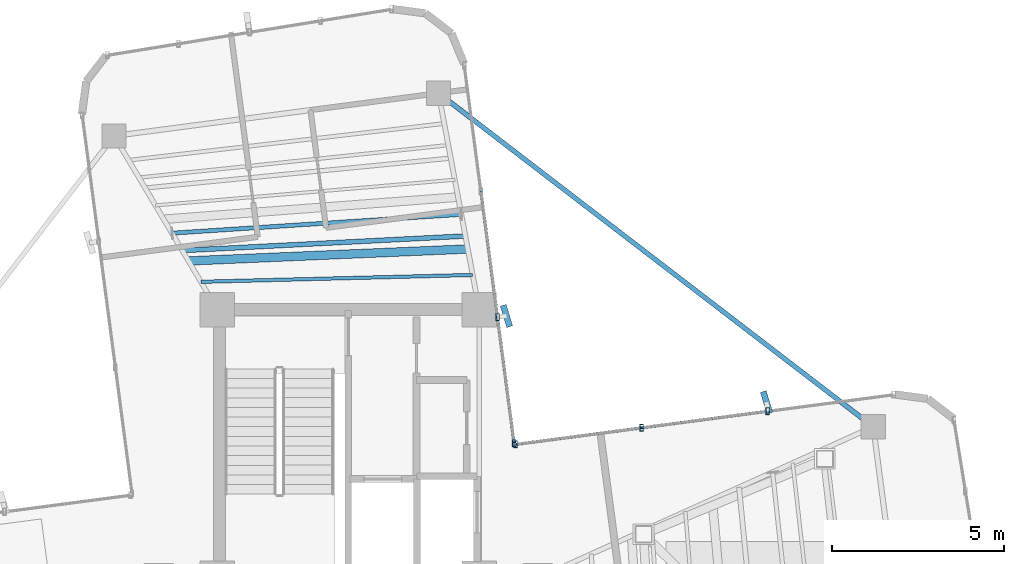
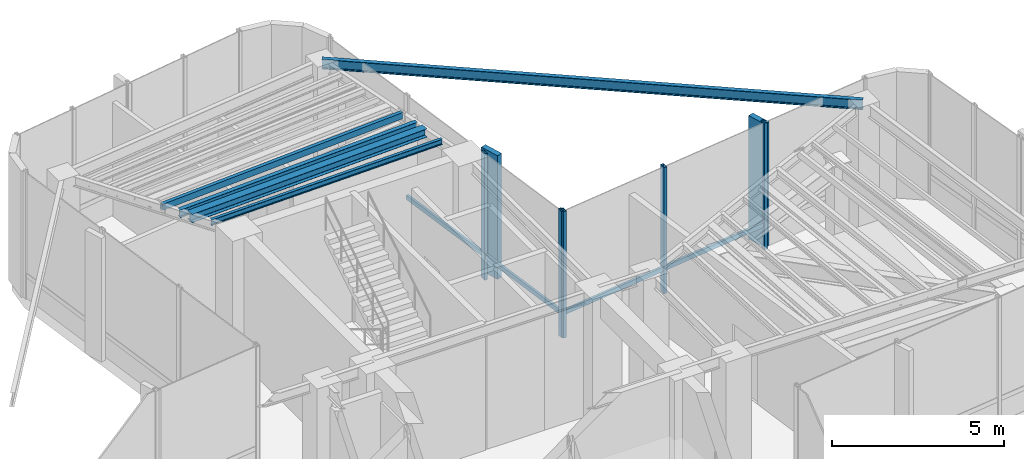
# One storey, part 8 of 16: 11 members, 5 beams, 2 elements without a shape of their own.
"""IFC4 building model written with IfcOpenShell, lengths in metres."""

from ifc_helpers import new_model, si_unit, direction, frame, origin, origin_2d, place, context, subcontext, project, spatial, rectangle, hollow_rectangle, i_section, extrude, source, transform, mapped, material, material_profile, profile_set, type_object, element, aggregate, save


model = new_model("IFC4")

# Units and contexts
model_context = context("Model", 3, precision=1e-05, world=origin(), true_north=direction((0.0, 1.0)))
body_context = subcontext(model_context, "Body", "Model", "MODEL_VIEW")
ifc_project = project(units=[si_unit("LENGTHUNIT", "METRE"), si_unit("AREAUNIT", "SQUARE_METRE"), si_unit("VOLUMEUNIT", "CUBIC_METRE"), si_unit("PLANEANGLEUNIT", "RADIAN"), si_unit("MASSUNIT", "GRAM", prefix="KILO")], contexts=[model_context])

# Site, building, storey
site_placement = place(None, origin())
site = spatial("IfcSite", under=ifc_project, at=site_placement, CompositionType="ELEMENT")
building_placement = place(site_placement, origin())
building = spatial("IfcBuilding", under=site, at=building_placement, Name="Sahyath Konkavel Grand Hotel", CompositionType="ELEMENT")
storey_placement = place(building_placement, frame((0.0, 0.0, 280.300048828125)))
storey = spatial("IfcBuildingStorey", under=building, at=storey_placement, Name="L78", CompositionType="ELEMENT", Elevation=280.300048828125)

# Beams
ifc_material_1 = material(Name="Steel E350", Category="steel")
ifc_material_profile_1 = material_profile(ifc_material_1, i_section(OverallWidth=0.139892578125, OverallDepth=0.35009765625, WebThickness=0.008056640625, FlangeThickness=0.01416015625, FilletRadius=0.013916015625, at=origin_2d()), Name="ISMB 350")
ifc_profile_set_1 = profile_set([ifc_material_profile_1], Name="Steel E350")
beam_type_1 = type_object("IfcBeamType", Name="BM-ISMB350", PredefinedType="BEAM", material=ifc_profile_set_1)
shared_shape_1 = source(origin(), body_context, "Body", "SweptSolid", [
    extrude(i_section(OverallWidth=0.139892578125, OverallDepth=0.35009765625, WebThickness=0.008056640625, FlangeThickness=0.01416015625, FilletRadius=0.013916015625, at=origin_2d()), origin(), (0.0, 0.0, 1.0), 15.909912109375),
])
beam_1_placement = place(storey_placement, frame((15.2431640625, 6.7978515625, 4.324951171875), z_axis=(-0.79335758392, 0.608755898564, 0.0), x_axis=(-0.608755898564, -0.79335758392, 0.0)))
element("IfcBeam", 1, at=beam_1_placement, inside=storey, type_object=beam_type_1, Name="L78 Re-Entrant Tie Beam NE", PredefinedType="BEAM", context=body_context, shape_type="MappedRepresentation", body=[
    mapped(shared_shape_1, transform((0.0, 0.0, 0.0), scale=1.0)),
])
ifc_material_profile_2 = material_profile(ifc_material_1, i_section(OverallWidth=0.25, OverallDepth=0.300048828125, WebThickness=0.009521484375, FlangeThickness=0.010498046875, FilletRadius=0.010986328125, at=origin_2d()), Name="ISHB 300")
ifc_profile_set_2 = profile_set([ifc_material_profile_2], Name="Steel E350")
beam_type_2 = type_object("IfcBeamType", Name="BM-ISHB300", PredefinedType="BEAM", material=ifc_profile_set_2)
shared_shape_2 = source(origin(), body_context, "Body", "SweptSolid", [
    extrude(i_section(OverallWidth=0.25, OverallDepth=0.300048828125, WebThickness=0.009521484375, FlangeThickness=0.010498046875, FilletRadius=0.010986328125, at=origin_2d()), origin(), (0.0, 0.0, 1.0), 8.11669921875),
])
beam_2_placement = place(storey_placement, frame((3.469970703125, 11.959228515625, 4.349853515625), z_axis=(-0.999084879956, -0.042771516718, 0.0), x_axis=(0.042771516718, -0.999084879956, 0.0)))
element("IfcBeam", 2, at=beam_2_placement, inside=storey, type_object=beam_type_2, Name="L78 Secondary Floor Beam N-1", PredefinedType="BEAM", context=body_context, shape_type="MappedRepresentation", body=[
    mapped(shared_shape_2, transform((0.0, 0.0, 0.0), scale=1.0)),
])
ifc_material_profile_3 = material_profile(ifc_material_1, i_section(OverallWidth=0.10009765625, OverallDepth=0.199951171875, WebThickness=0.005615234375, FlangeThickness=0.0107421875, FilletRadius=0.010986328125, at=origin_2d()), Name="ISMB 200")
ifc_profile_set_3 = profile_set([ifc_material_profile_3], Name="Steel E350")
beam_type_3 = type_object("IfcBeamType", Name="BM-ISMB200", PredefinedType="BEAM", material=ifc_profile_set_3)
shared_shape_3 = source(origin(), body_context, "Body", "SweptSolid", [
    extrude(i_section(OverallWidth=0.10009765625, OverallDepth=0.199951171875, WebThickness=0.005615234375, FlangeThickness=0.0107421875, FilletRadius=0.010986328125, at=origin_2d()), origin(), (0.0, 0.0, 1.0), 7.893310546875),
])
beam_3_placement = place(storey_placement, frame((3.611328125, 11.205322265625, 4.39990234375), z_axis=(-0.999683790083, -0.025145970772, 0.0), x_axis=(0.025145970772, -0.999683790083, 0.0)))
element("IfcBeam", 3, at=beam_3_placement, inside=storey, type_object=beam_type_3, Name="L78 Composite Deck Sub-Beam N-1", PredefinedType="BEAM", context=body_context, shape_type="MappedRepresentation", body=[
    mapped(shared_shape_3, transform((0.0, 0.0, 0.0), scale=1.0)),
])
ifc_material_profile_4 = material_profile(ifc_material_1, hollow_rectangle(XDim=0.1201171875, YDim=0.219970703125, WallThickness=0.010009765625, at=origin_2d()), Name="RHS 220x120x10")
ifc_profile_set_4 = profile_set([ifc_material_profile_4], Name="Steel E350")
beam_type_4 = type_object("IfcBeamType", Name="BM-RHS220", PredefinedType="BEAM", material=ifc_profile_set_4)
shared_shape_4 = source(origin(), body_context, "Body", "SweptSolid", [
    extrude(hollow_rectangle(XDim=0.1201171875, YDim=0.219970703125, WallThickness=0.010009765625, at=origin_2d()), origin(), (0.0, 0.0, 1.0), 8.41796875),
])
beam_4_placement = place(storey_placement, frame((3.28125, 12.964599609375, 4.389892578125), z_axis=(-0.997896901011, -0.064821099595, 0.0), x_axis=(0.064821099595, -0.997896901011, 0.0)))
element("IfcBeam", 4, at=beam_4_placement, inside=storey, type_object=beam_type_4, Name="L78 Composite Deck Sub-Beam N-3", PredefinedType="BEAM", context=body_context, shape_type="MappedRepresentation", body=[
    mapped(shared_shape_4, transform((0.0, 0.0, 0.0), scale=1.0)),
])
ifc_material_profile_5 = material_profile(ifc_material_1, i_section(OverallWidth=0.139892578125, OverallDepth=0.27490234375, WebThickness=0.00634765625, FlangeThickness=0.0087890625, FilletRadius=0.012939453125, at=origin_2d()), Name="ISLB 275")
ifc_profile_set_5 = profile_set([ifc_material_profile_5], Name="Steel E350")
beam_type_5 = type_object("IfcBeamType", Name="BM-ISLB275", PredefinedType="BEAM", material=ifc_profile_set_5)
shared_shape_5 = source(origin(), body_context, "Body", "SweptSolid", [
    extrude(i_section(OverallWidth=0.139892578125, OverallDepth=0.27490234375, WebThickness=0.00634765625, FlangeThickness=0.0087890625, FilletRadius=0.012939453125, at=origin_2d()), origin(), (0.0, 0.0, 1.0), 8.229248046875),
])
beam_5_placement = place(storey_placement, frame((3.399169921875, 12.336181640625, 4.362548828125), z_axis=(-0.998688130329, -0.051205647534, 0.0), x_axis=(0.051205647534, -0.998688130329, 0.0)))
element("IfcBeam", 5, at=beam_5_placement, inside=storey, type_object=beam_type_5, Name="L78 Composite Deck Sub-Beam N-2", PredefinedType="BEAM", context=body_context, shape_type="MappedRepresentation", body=[
    mapped(shared_shape_5, transform((0.0, 0.0, 0.0), scale=1.0)),
])

# Curtain wall, members
ifc_material_2 = material(Name="Anodised Bronze Aluminium & Low-E Glazing", Category="aluminium")
curtain_wall_type = type_object("IfcCurtainWallType", Name="CW-CROWN-TMD", PredefinedType="NOTDEFINED", material=ifc_material_2)
curtain_wall_1_placement = place(storey_placement, origin())
curtain_wall_1 = element("IfcCurtainWall", 6, at=curtain_wall_1_placement, inside=storey, type_object=curtain_wall_type, Name="L78 Unitised Curtain Wall F7", PredefinedType="NOTDEFINED")
ifc_material_3 = material(Name="Anodised Bronze Aluminium", Category="aluminium")
ifc_material_profile_6 = material_profile(ifc_material_3, hollow_rectangle(XDim=0.10009765625, YDim=0.199951171875, WallThickness=0.008056640625, at=origin_2d()), Name="RHS 200x100x8")
ifc_profile_set_6 = profile_set([ifc_material_profile_6], Name="Anodised Bronze Aluminium")
member_type_1 = type_object("IfcMemberType", Name="CW-MUL-200", PredefinedType="MULLION", material=ifc_profile_set_6)
shared_shape_6 = source(origin(), body_context, "Body", "SweptSolid", [
    extrude(hollow_rectangle(XDim=0.10009765625, YDim=0.199951171875, WallThickness=0.008056640625, at=origin_2d()), origin(), (0.0, 0.0, 1.0), 4.5),
])
member_1_placement = place(storey_placement, frame((12.177734375, 7.25146484375, 0.0), z_axis=(0.0, 0.0, 1.0), x_axis=(1.0, 0.0, 0.0)))
member_1 = element("IfcMember", 7, at=member_1_placement, type_object=member_type_1, Name="L78 Curtain Wall Mullion F7-1", PredefinedType="MULLION", context=body_context, shape_type="MappedRepresentation", body=[
    mapped(shared_shape_6, transform((0.0, 0.0, 0.0), scale=1.0)),
])
member_2_placement = place(storey_placement, frame((8.519287109375, 6.77001953125, 0.0), z_axis=(0.0, 0.0, 1.0), x_axis=(1.0, 0.0, 0.0)))
member_2 = element("IfcMember", 8, at=member_2_placement, type_object=member_type_1, Name="L78 Curtain Wall Mullion F7-2", PredefinedType="MULLION", context=body_context, shape_type="MappedRepresentation", body=[
    mapped(shared_shape_6, transform((0.0, 0.0, 0.0), scale=1.0)),
])
member_3_placement = place(storey_placement, frame((4.86083984375, 6.2880859375, 0.0), z_axis=(0.0, 0.0, 1.0), x_axis=(1.0, 0.0, 0.0)))
member_3 = element("IfcMember", 9, at=member_3_placement, type_object=member_type_1, Name="L78 Curtain Wall Mullion F7-3", PredefinedType="MULLION", context=body_context, shape_type="MappedRepresentation", body=[
    mapped(shared_shape_6, transform((0.0, 0.0, 0.0), scale=1.0)),
])

curtain_wall_2_placement = place(storey_placement, origin())
curtain_wall_2 = element("IfcCurtainWall", 10, at=curtain_wall_2_placement, inside=storey, type_object=curtain_wall_type, Name="L78 Unitised Curtain Wall F8", PredefinedType="NOTDEFINED")
member_4_placement = place(storey_placement, frame((4.81591796875, 6.32275390625, 0.0), z_axis=(0.0, 0.0, 1.0), x_axis=(1.0, 0.0, 0.0)))
member_4 = element("IfcMember", 11, at=member_4_placement, type_object=member_type_1, Name="L78 Curtain Wall Mullion F8-0", PredefinedType="MULLION", context=body_context, shape_type="MappedRepresentation", body=[
    mapped(shared_shape_6, transform((0.0, 0.0, 0.0), scale=1.0)),
])
member_5_placement = place(storey_placement, frame((4.334228515625, 9.981201171875, 0.0), z_axis=(0.0, 0.0, 1.0), x_axis=(1.0, 0.0, 0.0)))
member_5 = element("IfcMember", 12, at=member_5_placement, type_object=member_type_1, Name="L78 Curtain Wall Mullion F8-1", PredefinedType="MULLION", context=body_context, shape_type="MappedRepresentation", body=[
    mapped(shared_shape_6, transform((0.0, 0.0, 0.0), scale=1.0)),
])

# Member
ifc_material_4 = material(Name="Warm Buff Sandstone Cladding on Concrete C50/60", Category="masonry")
ifc_material_profile_7 = material_profile(ifc_material_4, rectangle(XDim=0.179931640625, YDim=0.64990234375, at=origin_2d()), Name="FIN 180x650")
ifc_profile_set_7 = profile_set([ifc_material_profile_7], Name="Warm Buff Sandstone Cladding on Concrete C50/60")
member_type_2 = type_object("IfcMemberType", Name="FIN-SANDSTONE-650", PredefinedType="MULLION", material=ifc_profile_set_7)
shared_shape_7 = source(origin(), body_context, "Body", "SweptSolid", [
    extrude(rectangle(XDim=0.179931640625, YDim=0.64990234375, at=origin_2d()), origin(), (0.0, 0.0, 1.0), 4.39990234375),
])
member_6_placement = place(storey_placement, frame((12.143798828125, 7.50927734375, 0.050048828125), z_axis=(0.0, 0.0, 1.0), x_axis=(0.957117481996, 0.289700061544, 0.0)))
member_6 = element("IfcMember", 13, at=member_6_placement, type_object=member_type_2, Name="L78 Sandstone Vertical Solar Fin FIN F7-1", PredefinedType="MULLION", context=body_context, shape_type="MappedRepresentation", body=[
    mapped(shared_shape_7, transform((0.0, 0.0, 0.0), scale=1.0)),
])

member_7_placement = place(storey_placement, frame((4.592041015625, 10.014892578125, 0.050048828125), z_axis=(0.0, 0.0, 1.0), x_axis=(0.957117481996, 0.289700061544, 0.0)))
member_7 = element("IfcMember", 14, at=member_7_placement, type_object=member_type_2, Name="L78 Sandstone Vertical Solar Fin FIN F8-1", PredefinedType="MULLION", context=body_context, shape_type="MappedRepresentation", body=[
    mapped(shared_shape_7, transform((0.0, 0.0, 0.0), scale=1.0)),
])

ifc_material_profile_8 = material_profile(ifc_material_3, hollow_rectangle(XDim=0.080078125, YDim=0.159912109375, WallThickness=0.006103515625, at=origin_2d()), Name="RHS 160x80x6")
ifc_profile_set_8 = profile_set([ifc_material_profile_8], Name="Anodised Bronze Aluminium")
member_type_3 = type_object("IfcMemberType", Name="CW-TRN-160", PredefinedType="USERDEFINED", material=ifc_profile_set_8)
shared_shape_8 = source(origin(), body_context, "Body", "SweptSolid", [
    extrude(hollow_rectangle(XDim=0.080078125, YDim=0.159912109375, WallThickness=0.006103515625, at=origin_2d()), origin(), (0.0, 0.0, 1.0), 3.68994140625),
])
member_8_placement = place(storey_placement, frame((12.177734375, 7.25146484375, 0.849853515625), z_axis=(-0.991451818194, -0.130473339038, 0.0), x_axis=(0.130473339038, -0.991451818194, 0.0)))
member_8 = element("IfcMember", 15, at=member_8_placement, type_object=member_type_3, Name="L78 Curtain Wall Transom F7-1-spandrel", ObjectType="TRANSOM", PredefinedType="USERDEFINED", context=body_context, shape_type="MappedRepresentation", body=[
    mapped(shared_shape_8, transform((0.0, 0.0, 0.0), scale=1.0)),
])

member_9_placement = place(storey_placement, frame((8.519287109375, 6.77001953125, 0.849853515625), z_axis=(-0.99143469254, -0.130603408947, 0.0), x_axis=(0.130603408947, -0.99143469254, 0.0)))
member_9 = element("IfcMember", 16, at=member_9_placement, type_object=member_type_3, Name="L78 Curtain Wall Transom F7-2-spandrel", ObjectType="TRANSOM", PredefinedType="USERDEFINED", context=body_context, shape_type="MappedRepresentation", body=[
    mapped(shared_shape_8, transform((0.0, 0.0, 0.0), scale=1.0)),
])

aggregate(curtain_wall_1, [member_1, member_6, member_2, member_3, member_8, member_9])

member_10_placement = place(storey_placement, frame((4.81591796875, 6.32275390625, 0.849853515625), z_axis=(-0.130538374835, 0.991443257426, 0.0), x_axis=(-0.991443257426, -0.130538374835, 0.0)))
member_10 = element("IfcMember", 17, at=member_10_placement, type_object=member_type_3, Name="L78 Curtain Wall Transom F8-0-spandrel", ObjectType="TRANSOM", PredefinedType="USERDEFINED", context=body_context, shape_type="MappedRepresentation", body=[
    mapped(shared_shape_8, transform((0.0, 0.0, 0.0), scale=1.0)),
])

shared_shape_9 = source(origin(), body_context, "Body", "SweptSolid", [
    extrude(hollow_rectangle(XDim=0.080078125, YDim=0.159912109375, WallThickness=0.006103515625, at=origin_2d()), origin(), (0.0, 0.0, 1.0), 3.689697265625),
])
member_11_placement = place(storey_placement, frame((4.334228515625, 9.981201171875, 0.849853515625), z_axis=(-0.130546938219, 0.99144212989, 0.0), x_axis=(-0.99144212989, -0.130546938219, 0.0)))
member_11 = element("IfcMember", 18, at=member_11_placement, type_object=member_type_3, Name="L78 Curtain Wall Transom F8-1-spandrel", ObjectType="TRANSOM", PredefinedType="USERDEFINED", context=body_context, shape_type="MappedRepresentation", body=[
    mapped(shared_shape_9, transform((0.0, 0.0, 0.0), scale=1.0)),
])

aggregate(curtain_wall_2, [member_4, member_5, member_7, member_10, member_11])

save(model, "model.ifc")
